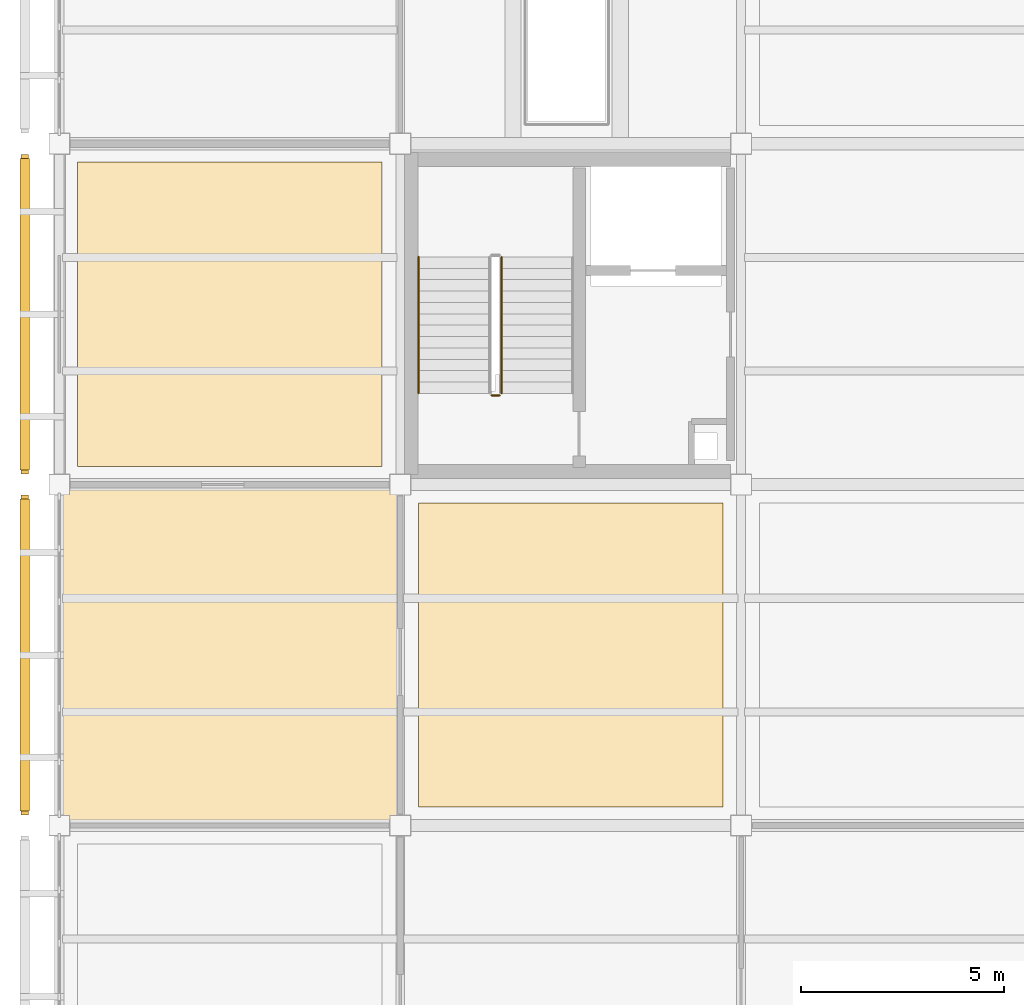
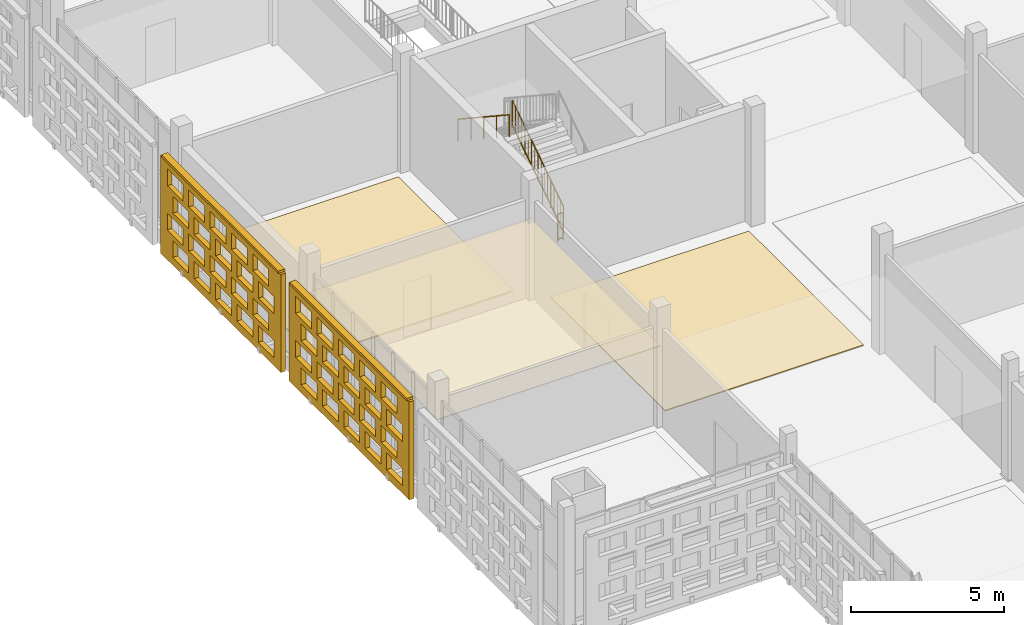
# One storey, part 144 of 203: 5 coverings, 3 railings, 2 shading devices, 40 openings.
"""IFC4 building model written with IfcOpenShell, lengths in metres."""

import ifcopenshell
import ifcopenshell.guid

model = None  # the IFC model being written
_history = None  # IfcOwnerHistory: only IFC2X3 demands one
_inside = {}  # id of a spatial element -> (the spatial element, [elements in it])
_under = {}  # id of a project, library or spatial element -> (it, [spatial elements below it])
_declared = {}  # id of a project -> (the project, [libraries it declares])
_typed = {}  # id of a type object -> (the type object, [elements of that type])
_made_of = {}  # id of a material, layer set ... -> (it, [elements and type objects made of it])


def new_model(schema):
    """Start an empty IFC model of exactly this schema.

    Asked for "IFC4X3", IfcOpenShell would pick the latest addendum, in which some entities
    have other attributes; the version numbers below select the first issue.
    IFC2X3 requires an IfcOwnerHistory on every rooted entity: one is made here for all.
    """
    global model, _history
    if schema == "IFC4X3":
        model = ifcopenshell.file(schema_version=(4, 3, 0, 0))
    else:
        model = ifcopenshell.file(schema=schema)
    _inside.clear()
    _under.clear()
    _declared.clear()
    _typed.clear()
    _made_of.clear()
    _history = None
    if model.schema == "IFC2X3":
        org = make("IfcOrganization", Name="unknown")
        user = make(
            "IfcPersonAndOrganization",
            ThePerson=make("IfcPerson", FamilyName="unknown"),
            TheOrganization=org,
        )
        app = make(
            "IfcApplication",
            ApplicationDeveloper=org,
            Version="unknown",
            ApplicationFullName="unknown",
            ApplicationIdentifier="unknown",
        )
        _history = make(
            "IfcOwnerHistory",
            OwningUser=user,
            OwningApplication=app,
            ChangeAction="ADDED",
            CreationDate=0,
        )
    return model


def make(cls, **values):
    """One entity of the class cls with the attributes given. An attribute that is None is left unset."""
    return model.create_entity(
        cls, **{name: value for name, value in values.items() if value is not None}
    )


def rooted(cls, **values):
    """An entity with a GlobalId (a new one), such as an element, a storey or a relation."""
    return make(cls, GlobalId=ifcopenshell.guid.new(), OwnerHistory=_history, **values)


def si_unit(unit_type, name, prefix=None):
    """IfcSIUnit, for example si_unit("LENGTHUNIT", "METRE", prefix="MILLI")."""
    return make("IfcSIUnit", UnitType=unit_type, Prefix=prefix, Name=name)


def assignment(units):
    """IfcUnitAssignment: the units of a project."""
    return None if units is None else make("IfcUnitAssignment", Units=units)


def point(xyz):
    """IfcCartesianPoint."""
    return None if xyz is None else make("IfcCartesianPoint", Coordinates=xyz)


def direction(xyz):
    """IfcDirection."""
    return None if xyz is None else make("IfcDirection", DirectionRatios=xyz)


def frame(location, z_axis=None, x_axis=None):
    """IfcAxis2Placement3D, a coordinate frame: its origin and axes. An axis left out is left unset."""
    return make(
        "IfcAxis2Placement3D",
        Location=point(location),
        Axis=direction(z_axis),
        RefDirection=direction(x_axis),
    )


def frame_2d(location, x_axis=None):
    """IfcAxis2Placement2D, a coordinate frame in the plane: its origin and x axis."""
    return make(
        "IfcAxis2Placement2D", Location=point(location), RefDirection=direction(x_axis)
    )


def origin():
    """The frame at (0, 0, 0) with its axes left unset."""
    return frame((0.0, 0.0, 0.0))


def origin_2d():
    """The frame at (0, 0) in the plane with its x axis left unset."""
    return frame_2d((0.0, 0.0))


def place(relative_to, where):
    """IfcLocalPlacement: puts the frame where relative to a parent placement (None: the world)."""
    return make(
        "IfcLocalPlacement", PlacementRelTo=relative_to, RelativePlacement=where
    )


def context(
    kind, dimensions, precision=None, world=None, true_north=None, identifier=None
):
    """IfcGeometricRepresentationContext, for example the 3D "Model" context."""
    return make(
        "IfcGeometricRepresentationContext",
        ContextIdentifier=identifier,
        ContextType=kind,
        CoordinateSpaceDimension=dimensions,
        Precision=precision,
        WorldCoordinateSystem=world,
        TrueNorth=true_north,
    )


def subcontext(parent, identifier, kind, view, scale=None):
    """IfcGeometricRepresentationSubContext, for example "Body" below "Model"."""
    return make(
        "IfcGeometricRepresentationSubContext",
        ContextIdentifier=identifier,
        ContextType=kind,
        ParentContext=parent,
        TargetScale=scale,
        TargetView=view,
    )


def project(units=None, contexts=None):
    """IfcProject with its units and contexts."""
    return rooted(
        "IfcProject",
        Name="project",
        RepresentationContexts=contexts,
        UnitsInContext=assignment(units),
    )


def spatial(cls, under=None, at=None, **own):
    """A site, building, storey or space (cls), placed at a placement, below another one or the project."""
    s = rooted(cls, ObjectPlacement=at, **own)
    if under is not None:
        _under.setdefault(under.id(), (under, []))[1].append(s)
    return s


def profile(cls, at=None, kind="AREA", **sizes):
    """A parametric profile (cls). Its sizes go by their IFC names, for example OverallWidth=200.0."""
    return make(cls, ProfileType=kind, Position=at, **sizes)


def rectangle(**sizes):
    """IfcRectangleProfileDef."""
    return profile("IfcRectangleProfileDef", **sizes)


def circle(**sizes):
    """IfcCircleProfileDef."""
    return profile("IfcCircleProfileDef", **sizes)


def extrude(swept, where, along, depth):
    """IfcExtrudedAreaSolid: the profile swept, set in the frame where, extruded along a direction by depth."""
    return make(
        "IfcExtrudedAreaSolid",
        SweptArea=swept,
        Position=where,
        ExtrudedDirection=direction(along),
        Depth=depth,
    )


def shape(context_of_items, identifier, shape_type, items):
    """IfcShapeRepresentation: the items that make up one representation, for example the "Body"."""
    return make(
        "IfcShapeRepresentation",
        ContextOfItems=context_of_items,
        RepresentationIdentifier=identifier,
        RepresentationType=shape_type,
        Items=items,
    )


def material(Name=None, Category=None):
    """IfcMaterial."""
    return make("IfcMaterial", Name=Name, Category=Category)


def layer(
    of_material, thickness, ventilated=None, Name=None, Category=None, Priority=None
):
    """IfcMaterialLayer: one layer of a wall or slab, of a material (None: an air gap)."""
    return make(
        "IfcMaterialLayer",
        Material=of_material,
        LayerThickness=thickness,
        IsVentilated=ventilated,
        Name=Name,
        Category=Category,
        Priority=Priority,
    )


def layer_set(layers, Name=None):
    """IfcMaterialLayerSet."""
    return make("IfcMaterialLayerSet", MaterialLayers=layers, LayerSetName=Name)


def made_of(thing, what):
    """Note that an element or type object is made of a material, layer set ...; save() writes the relation."""
    if what is not None:
        _made_of.setdefault(what.id(), (what, []))[1].append(thing)
    return thing


def type_object(cls, material=None, **own):
    """A type object (cls), such as IfcWallType, which elements share."""
    return made_of(rooted(cls, **own), material)


def element(
    cls,
    number,
    at=None,
    inside=None,
    cuts=None,
    type_object=None,
    material=None,
    context=None,
    identifier="Body",
    shape_type=None,
    held_by="IfcProductDefinitionShape",
    body=None,
    shapes=None,
    **own,
):
    """One element of the class cls, such as IfcWall. Its Tag is "e" and its number.

    at: its placement. inside: the storey or other place that contains it. cuts: it is an
    opening in that element (IfcRelVoidsElement). A single representation is given by context,
    identifier, shape_type and body (its items); several are given by shapes. held_by: the class
    of the entity that holds the representations. save() writes the other relations.
    """
    e = rooted(cls, Tag="e%d" % number, ObjectPlacement=at, **own)
    if body is not None:
        shapes = [shape(context, identifier, shape_type, body)]
    if shapes is not None:
        e.Representation = make(held_by, Representations=shapes)
    if inside is not None:
        _inside.setdefault(inside.id(), (inside, []))[1].append(e)
    if cuts is not None:
        rooted(
            "IfcRelVoidsElement", RelatingBuildingElement=cuts, RelatedOpeningElement=e
        )
    if type_object is not None:
        _typed.setdefault(type_object.id(), (type_object, []))[1].append(e)
    return made_of(e, material)


def aggregate(whole, parts):
    """IfcRelAggregates: a whole, such as a stair, and the parts it consists of."""
    return rooted("IfcRelAggregates", RelatingObject=whole, RelatedObjects=parts)


def save(model, path):
    """Write the relations noted so far, then the file.

    IfcRelAggregates (storeys below a building ...), IfcRelContainedInSpatialStructure (elements
    in a storey), IfcRelDefinesByType, IfcRelAssociatesMaterial and IfcRelDeclares: one each for
    every whole, place, type object, material and project.
    """
    for whole, parts in _under.values():
        aggregate(whole, parts)
    for where, things in _inside.values():
        rooted(
            "IfcRelContainedInSpatialStructure",
            RelatedElements=things,
            RelatingStructure=where,
        )
    for kind, things in _typed.values():
        rooted("IfcRelDefinesByType", RelatedObjects=things, RelatingType=kind)
    for what, things in _made_of.values():
        rooted("IfcRelAssociatesMaterial", RelatedObjects=things, RelatingMaterial=what)
    for by, libraries in _declared.values():
        rooted("IfcRelDeclares", RelatingContext=by, RelatedDefinitions=libraries)
    model.write(path)


model = new_model("IFC4")

# Units and contexts
model_context = context("Model", 3, precision=1e-05, world=origin(), true_north=direction((0.0, 1.0)))
body_context = subcontext(model_context, "Body", "Model", "MODEL_VIEW")
ifc_project = project(units=[si_unit("LENGTHUNIT", "METRE"), si_unit("AREAUNIT", "SQUARE_METRE"), si_unit("VOLUMEUNIT", "CUBIC_METRE"), si_unit("PLANEANGLEUNIT", "RADIAN"), si_unit("MASSUNIT", "GRAM", prefix="KILO")], contexts=[model_context])

# Site, building, storey
site_placement = place(None, origin())
site = spatial("IfcSite", under=ifc_project, at=site_placement, CompositionType="ELEMENT")
building_placement = place(site_placement, origin())
building = spatial("IfcBuilding", under=site, at=building_placement, Name="Varnapada Polytechnic", CompositionType="ELEMENT")
storey_placement = place(building_placement, frame((0.0, 0.0, 4.800048828125)))
storey = spatial("IfcBuildingStorey", under=building, at=storey_placement, Name="L01", CompositionType="ELEMENT", Elevation=4.800048828125)

# Coverings
ifc_material_1 = material(Name="End-Grain Timber Studio Block Flooring", Category="wood")
ifc_layer_1 = layer(ifc_material_1, 0.054931640625)
ifc_layer_set_1 = layer_set([ifc_layer_1], Name="End-Grain Timber Studio Block Flooring")
covering_type_1 = type_object("IfcCoveringType", Name="Floor Finish FLR-04", PredefinedType="FLOORING", material=ifc_layer_set_1)
covering_1_placement = place(storey_placement, frame((4.199951171875, 63.0, 0.0), z_axis=(0.0, 0.0, 1.0), x_axis=(1.0, 0.0, 0.0)))
element("IfcCovering", 1, at=covering_1_placement, inside=storey, type_object=covering_type_1, Name="L01 floor finish panel (1,8)", PredefinedType="FLOORING", context=body_context, shape_type="SweptSolid", body=[
    extrude(rectangle(XDim=7.5, YDim=7.5, at=origin_2d()), origin(), (0.0, 0.0, 1.0), 0.054931640625),
])
ifc_material_2 = material(Name="Acoustic Rubber Seminar Flooring")
ifc_layer_2 = layer(ifc_material_2, 0.0400390625)
ifc_layer_set_2 = layer_set([ifc_layer_2], Name="Acoustic Rubber Seminar Flooring")
covering_type_2 = type_object("IfcCoveringType", Name="Floor Finish FLR-06", PredefinedType="FLOORING", material=ifc_layer_set_2)
covering_2_placement = place(storey_placement, frame((12.60009765625, 54.60009765625, 0.0), z_axis=(0.0, 0.0, 1.0), x_axis=(1.0, 0.0, 0.0)))
element("IfcCovering", 2, at=covering_2_placement, inside=storey, type_object=covering_type_2, Name="L01 floor finish panel (2,7)", PredefinedType="FLOORING", context=body_context, shape_type="SweptSolid", body=[
    extrude(rectangle(XDim=7.5, YDim=7.5, at=origin_2d()), origin(), (0.0, 0.0, 1.0), 0.0400390625),
])

# Railings
ifc_material_3 = material(Name="Brushed Stainless Steel 316", Category="steel")
railing_type_1 = type_object("IfcRailingType", Name="Stair Wall Handrail SHR-01", PredefinedType="HANDRAIL", material=ifc_material_3)
railing_1_placement = place(storey_placement, frame((8.85009765625, 64.409912109375, 2.58447265625)))
element("IfcRailing", 3, at=railing_1_placement, inside=storey, type_object=railing_type_1, Name="L01 ST-2 stair handrail 2", PredefinedType="HANDRAIL", context=body_context, shape_type="SweptSolid", body=[
    extrude(circle(Radius=0.02392578125, at=origin_2d()), frame((0.0, 0.0, 0.8759765625), z_axis=(0.0, -0.83483021737, 0.550507500554), x_axis=(1.0, 0.0, 0.0)), (0.0, 0.0, 1.0), 4.024658203125),
    extrude(circle(Radius=0.02099609375, at=origin_2d()), origin(), (0.0, 0.0, 1.0), 0.851806640625),
    extrude(circle(Radius=0.02099609375, at=origin_2d()), frame((0.0, -0.83984375, 0.553955078125)), (0.0, 0.0, 1.0), 0.851806640625),
    extrude(circle(Radius=0.02099609375, at=origin_2d()), frame((0.0, -1.679931640625, 1.10791015625)), (0.0, 0.0, 1.0), 0.851806640625),
    extrude(circle(Radius=0.02099609375, at=origin_2d()), frame((0.0, -2.52001953125, 1.66162109375)), (0.0, 0.0, 1.0), 0.851806640625),
    extrude(circle(Radius=0.02099609375, at=origin_2d()), frame((0.0, -3.35986328125, 2.215576171875)), (0.0, 0.0, 1.0), 0.851806640625),
])
railing_type_2 = type_object("IfcRailingType", Name="Stair Well Guard Rail SGR-01", PredefinedType="BALUSTRADE", material=ifc_material_3)
railing_2_placement = place(storey_placement, frame((10.89990234375, 61.050048828125, 0.1845703125)))
element("IfcRailing", 4, at=railing_2_placement, inside=storey, type_object=railing_type_2, Name="L01 ST-2 stair guard 1", PredefinedType="BALUSTRADE", context=body_context, shape_type="SweptSolid", body=[
    extrude(circle(Radius=0.02392578125, at=origin_2d()), frame((0.0, 0.0, 1.09619140625), z_axis=(0.0, 0.834858096282, 0.550465220583), x_axis=(-1.0, 0.0, 0.0)), (0.0, 0.0, 1.0), 4.0244140625),
    extrude(circle(Radius=0.02392578125, at=origin_2d()), frame((0.0, 0.0, 0.10009765625), z_axis=(0.0, 0.834858096282, 0.550465220583), x_axis=(-1.0, 0.0, 0.0)), (0.0, 0.0, 1.0), 4.0244140625),
    extrude(circle(Radius=0.02099609375, at=origin_2d()), origin(), (0.0, 0.0, 1.0), 1.072021484375),
    extrude(circle(Radius=0.02099609375, at=origin_2d()), frame((0.0, 0.83984375, 0.5537109375)), (0.0, 0.0, 1.0), 1.072021484375),
    extrude(circle(Radius=0.02099609375, at=origin_2d()), frame((0.0, 1.679931640625, 1.107666015625)), (0.0, 0.0, 1.0), 1.072021484375),
    extrude(circle(Radius=0.02099609375, at=origin_2d()), frame((0.0, 2.52001953125, 1.66162109375)), (0.0, 0.0, 1.0), 1.072021484375),
    extrude(circle(Radius=0.02099609375, at=origin_2d()), frame((0.0, 3.35986328125, 2.21533203125)), (0.0, 0.0, 1.0), 1.072021484375),
    extrude(circle(Radius=0.010009765625, at=origin_2d()), frame((0.0, 0.2099609375, 0.238525390625)), (0.0, 0.0, 1.0), 0.971923828125),
    extrude(circle(Radius=0.010009765625, at=origin_2d()), frame((0.0, 0.419921875, 0.376953125)), (0.0, 0.0, 1.0), 0.971923828125),
    extrude(circle(Radius=0.010009765625, at=origin_2d()), frame((0.0, 0.6298828125, 0.515380859375)), (0.0, 0.0, 1.0), 0.971923828125),
    extrude(circle(Radius=0.010009765625, at=origin_2d()), frame((0.0, 0.83984375, 0.65380859375)), (0.0, 0.0, 1.0), 0.971923828125),
    extrude(circle(Radius=0.010009765625, at=origin_2d()), frame((0.0, 1.050048828125, 0.79248046875)), (0.0, 0.0, 1.0), 0.971923828125),
    extrude(circle(Radius=0.010009765625, at=origin_2d()), frame((0.0, 1.260009765625, 0.930908203125)), (0.0, 0.0, 1.0), 0.971923828125),
    extrude(circle(Radius=0.010009765625, at=origin_2d()), frame((0.0, 1.469970703125, 1.0693359375)), (0.0, 0.0, 1.0), 0.971923828125),
    extrude(circle(Radius=0.010009765625, at=origin_2d()), frame((0.0, 1.679931640625, 1.207763671875)), (0.0, 0.0, 1.0), 0.971923828125),
    extrude(circle(Radius=0.010009765625, at=origin_2d()), frame((0.0, 1.889892578125, 1.34619140625)), (0.0, 0.0, 1.0), 0.971923828125),
    extrude(circle(Radius=0.010009765625, at=origin_2d()), frame((0.0, 2.099853515625, 1.484619140625)), (0.0, 0.0, 1.0), 0.971923828125),
    extrude(circle(Radius=0.010009765625, at=origin_2d()), frame((0.0, 2.309814453125, 1.623046875)), (0.0, 0.0, 1.0), 0.971923828125),
    extrude(circle(Radius=0.010009765625, at=origin_2d()), frame((0.0, 2.52001953125, 1.76171875)), (0.0, 0.0, 1.0), 0.971923828125),
    extrude(circle(Radius=0.010009765625, at=origin_2d()), frame((0.0, 2.72998046875, 1.900146484375)), (0.0, 0.0, 1.0), 0.971923828125),
    extrude(circle(Radius=0.010009765625, at=origin_2d()), frame((0.0, 2.93994140625, 2.03857421875)), (0.0, 0.0, 1.0), 0.971923828125),
    extrude(circle(Radius=0.010009765625, at=origin_2d()), frame((0.0, 3.14990234375, 2.177001953125)), (0.0, 0.0, 1.0), 0.971923828125),
])
railing_3_placement = place(storey_placement, frame((10.85009765625, 61.0, 0.0)))
element("IfcRailing", 5, at=railing_3_placement, inside=storey, type_object=railing_type_2, Name="L01 ST-2 stair guard 4", PredefinedType="BALUSTRADE", context=body_context, shape_type="SweptSolid", body=[
    extrude(circle(Radius=0.02392578125, at=origin_2d()), frame((0.0, 0.0, 1.09619140625), z_axis=(-1.0, 0.0, 0.0), x_axis=(0.0, -1.0, 0.0)), (0.0, 0.0, 1.0), 0.2001953125),
    extrude(circle(Radius=0.02392578125, at=origin_2d()), frame((0.0, 0.0, 0.10009765625), z_axis=(-1.0, 0.0, 0.0), x_axis=(0.0, -1.0, 0.0)), (0.0, 0.0, 1.0), 0.2001953125),
    extrude(circle(Radius=0.02099609375, at=origin_2d()), origin(), (0.0, 0.0, 1.0), 1.072021484375),
    extrude(circle(Radius=0.02099609375, at=origin_2d()), frame((-0.2001953125, 0.0, 0.0)), (0.0, 0.0, 1.0), 1.072021484375),
])

# Covering
ifc_material_4 = material(Name="Moisture-Resistant Aluminum Baffle Ceiling", Category="aluminium")
ifc_layer_3 = layer(ifc_material_4, 0.030029296875)
ifc_layer_set_3 = layer_set([ifc_layer_3], Name="Moisture-Resistant Aluminum Baffle Ceiling")
covering_type_3 = type_object("IfcCoveringType", Name="Suspended Ceiling CLG-03", PredefinedType="CEILING", material=ifc_layer_set_3)
covering_3_placement = place(storey_placement, frame((4.199951171875, 54.60009765625, 3.03515625), z_axis=(0.0, 0.0, 1.0), x_axis=(1.0, 0.0, 0.0)))
element("IfcCovering", 6, at=covering_3_placement, inside=storey, type_object=covering_type_3, Name="L01 suspended acoustic ceiling (1,7)", PredefinedType="CEILING", context=body_context, shape_type="SweptSolid", body=[
    extrude(rectangle(XDim=8.419921875, YDim=8.419921875, at=origin_2d()), origin(), (0.0, 0.0, 1.0), 0.030029296875),
])

# Covering, openings
ifc_material_5 = material(Name="Earth-toned architectural terracotta screen block", Category="masonry")
ifc_layer_4 = layer(ifc_material_5, 0.1201171875)
ifc_layer_set_4 = layer_set([ifc_layer_4], Name="Earth-toned architectural terracotta screen block")
covering_type_4 = type_object("IfcCoveringType", Name="Terracotta Screen Cladding CLD-01", PredefinedType="CLADDING", material=ifc_layer_set_4)
covering_4_placement = place(storey_placement, frame((-0.85009765625, 50.659912109375, 0.0), z_axis=(0.0, 0.0, 1.0), x_axis=(0.0, 1.0, 0.0)))
covering_4 = element("IfcCovering", 7, at=covering_4_placement, inside=storey, type_object=covering_type_4, Name="L01 perforated terracotta block screen (3)", PredefinedType="CLADDING", context=body_context, shape_type="SweptSolid", body=[
    extrude(rectangle(XDim=7.880126953125, YDim=0.179931640625, at=frame_2d((3.93994140625, 0.0))), origin(), (0.0, 0.0, 1.0), 3.919921875),
])
opening_1_placement = place(covering_4_placement, frame((0.43994140625, 0.0, 0.313720703125)))
element("IfcOpeningElement", 8, at=opening_1_placement, cuts=covering_4, Name="Screen perforation TBS-L01-002.1", PredefinedType="OPENING", context=body_context, shape_type="SweptSolid", body=[
    extrude(rectangle(XDim=1.0400390625, YDim=0.679931640625, at=frame_2d((0.52001953125, 0.33984375))), frame((0.0, 0.099853515625, 0.0), z_axis=(0.0, -1.0, 0.0), x_axis=(1.0, 0.0, 0.0)), (0.0, 0.0, 1.0), 0.199951171875),
])
opening_2_placement = place(covering_4_placement, frame((1.840087890625, 0.0, 0.313720703125)))
element("IfcOpeningElement", 9, at=opening_2_placement, cuts=covering_4, Name="Screen perforation TBS-L01-002.2", PredefinedType="OPENING", context=body_context, shape_type="SweptSolid", body=[
    extrude(rectangle(XDim=1.0400390625, YDim=0.679931640625, at=frame_2d((0.52001953125, 0.33984375))), frame((0.0, 0.099853515625, 0.0), z_axis=(0.0, -1.0, 0.0), x_axis=(1.0, 0.0, 0.0)), (0.0, 0.0, 1.0), 0.199951171875),
])
opening_3_placement = place(covering_4_placement, frame((3.239990234375, 0.0, 0.313720703125)))
element("IfcOpeningElement", 10, at=opening_3_placement, cuts=covering_4, Name="Screen perforation TBS-L01-002.3", PredefinedType="OPENING", context=body_context, shape_type="SweptSolid", body=[
    extrude(rectangle(XDim=1.0400390625, YDim=0.679931640625, at=frame_2d((0.52001953125, 0.33984375))), frame((0.0, 0.099853515625, 0.0), z_axis=(0.0, -1.0, 0.0), x_axis=(1.0, 0.0, 0.0)), (0.0, 0.0, 1.0), 0.199951171875),
])
opening_4_placement = place(covering_4_placement, frame((4.639892578125, 0.0, 0.313720703125)))
element("IfcOpeningElement", 11, at=opening_4_placement, cuts=covering_4, Name="Screen perforation TBS-L01-002.4", PredefinedType="OPENING", context=body_context, shape_type="SweptSolid", body=[
    extrude(rectangle(XDim=1.0400390625, YDim=0.679931640625, at=frame_2d((0.52001953125, 0.33984375))), frame((0.0, 0.099853515625, 0.0), z_axis=(0.0, -1.0, 0.0), x_axis=(1.0, 0.0, 0.0)), (0.0, 0.0, 1.0), 0.199951171875),
])
opening_5_placement = place(covering_4_placement, frame((6.0400390625, 0.0, 0.313720703125)))
element("IfcOpeningElement", 12, at=opening_5_placement, cuts=covering_4, Name="Screen perforation TBS-L01-002.5", PredefinedType="OPENING", context=body_context, shape_type="SweptSolid", body=[
    extrude(rectangle(XDim=1.0400390625, YDim=0.679931640625, at=frame_2d((0.52001953125, 0.33984375))), frame((0.0, 0.099853515625, 0.0), z_axis=(0.0, -1.0, 0.0), x_axis=(1.0, 0.0, 0.0)), (0.0, 0.0, 1.0), 0.199951171875),
])
opening_6_placement = place(covering_4_placement, frame((0.800048828125, 0.0, 1.195556640625)))
element("IfcOpeningElement", 13, at=opening_6_placement, cuts=covering_4, Name="Screen perforation TBS-L01-002.6", PredefinedType="OPENING", context=body_context, shape_type="SweptSolid", body=[
    extrude(rectangle(XDim=1.0400390625, YDim=0.679931640625, at=frame_2d((0.52001953125, 0.33984375))), frame((0.0, 0.099853515625, 0.0), z_axis=(0.0, -1.0, 0.0), x_axis=(1.0, 0.0, 0.0)), (0.0, 0.0, 1.0), 0.199951171875),
])
opening_7_placement = place(covering_4_placement, frame((2.199951171875, 0.0, 1.195556640625)))
element("IfcOpeningElement", 14, at=opening_7_placement, cuts=covering_4, Name="Screen perforation TBS-L01-002.7", PredefinedType="OPENING", context=body_context, shape_type="SweptSolid", body=[
    extrude(rectangle(XDim=1.0400390625, YDim=0.679931640625, at=frame_2d((0.52001953125, 0.33984375))), frame((0.0, 0.099853515625, 0.0), z_axis=(0.0, -1.0, 0.0), x_axis=(1.0, 0.0, 0.0)), (0.0, 0.0, 1.0), 0.199951171875),
])
opening_8_placement = place(covering_4_placement, frame((3.60009765625, 0.0, 1.195556640625)))
element("IfcOpeningElement", 15, at=opening_8_placement, cuts=covering_4, Name="Screen perforation TBS-L01-002.8", PredefinedType="OPENING", context=body_context, shape_type="SweptSolid", body=[
    extrude(rectangle(XDim=1.0400390625, YDim=0.679931640625, at=frame_2d((0.52001953125, 0.33984375))), frame((0.0, 0.099853515625, 0.0), z_axis=(0.0, -1.0, 0.0), x_axis=(1.0, 0.0, 0.0)), (0.0, 0.0, 1.0), 0.199951171875),
])
opening_9_placement = place(covering_4_placement, frame((5.0, 0.0, 1.195556640625)))
element("IfcOpeningElement", 16, at=opening_9_placement, cuts=covering_4, Name="Screen perforation TBS-L01-002.9", PredefinedType="OPENING", context=body_context, shape_type="SweptSolid", body=[
    extrude(rectangle(XDim=1.0400390625, YDim=0.679931640625, at=frame_2d((0.52001953125, 0.33984375))), frame((0.0, 0.099853515625, 0.0), z_axis=(0.0, -1.0, 0.0), x_axis=(1.0, 0.0, 0.0)), (0.0, 0.0, 1.0), 0.199951171875),
])
opening_10_placement = place(covering_4_placement, frame((6.39990234375, 0.0, 1.195556640625)))
element("IfcOpeningElement", 17, at=opening_10_placement, cuts=covering_4, Name="Screen perforation TBS-L01-002.10", PredefinedType="OPENING", context=body_context, shape_type="SweptSolid", body=[
    extrude(rectangle(XDim=1.0400390625, YDim=0.679931640625, at=frame_2d((0.52001953125, 0.33984375))), frame((0.0, 0.099853515625, 0.0), z_axis=(0.0, -1.0, 0.0), x_axis=(1.0, 0.0, 0.0)), (0.0, 0.0, 1.0), 0.199951171875),
])
opening_11_placement = place(covering_4_placement, frame((0.43994140625, 0.0, 2.07763671875)))
element("IfcOpeningElement", 18, at=opening_11_placement, cuts=covering_4, Name="Screen perforation TBS-L01-002.11", PredefinedType="OPENING", context=body_context, shape_type="SweptSolid", body=[
    extrude(rectangle(XDim=1.0400390625, YDim=0.679931640625, at=frame_2d((0.52001953125, 0.33984375))), frame((0.0, 0.099853515625, 0.0), z_axis=(0.0, -1.0, 0.0), x_axis=(1.0, 0.0, 0.0)), (0.0, 0.0, 1.0), 0.199951171875),
])
opening_12_placement = place(covering_4_placement, frame((1.840087890625, 0.0, 2.07763671875)))
element("IfcOpeningElement", 19, at=opening_12_placement, cuts=covering_4, Name="Screen perforation TBS-L01-002.12", PredefinedType="OPENING", context=body_context, shape_type="SweptSolid", body=[
    extrude(rectangle(XDim=1.0400390625, YDim=0.679931640625, at=frame_2d((0.52001953125, 0.33984375))), frame((0.0, 0.099853515625, 0.0), z_axis=(0.0, -1.0, 0.0), x_axis=(1.0, 0.0, 0.0)), (0.0, 0.0, 1.0), 0.199951171875),
])
opening_13_placement = place(covering_4_placement, frame((3.239990234375, 0.0, 2.07763671875)))
element("IfcOpeningElement", 20, at=opening_13_placement, cuts=covering_4, Name="Screen perforation TBS-L01-002.13", PredefinedType="OPENING", context=body_context, shape_type="SweptSolid", body=[
    extrude(rectangle(XDim=1.0400390625, YDim=0.679931640625, at=frame_2d((0.52001953125, 0.33984375))), frame((0.0, 0.099853515625, 0.0), z_axis=(0.0, -1.0, 0.0), x_axis=(1.0, 0.0, 0.0)), (0.0, 0.0, 1.0), 0.199951171875),
])
opening_14_placement = place(covering_4_placement, frame((4.639892578125, 0.0, 2.07763671875)))
element("IfcOpeningElement", 21, at=opening_14_placement, cuts=covering_4, Name="Screen perforation TBS-L01-002.14", PredefinedType="OPENING", context=body_context, shape_type="SweptSolid", body=[
    extrude(rectangle(XDim=1.0400390625, YDim=0.679931640625, at=frame_2d((0.52001953125, 0.33984375))), frame((0.0, 0.099853515625, 0.0), z_axis=(0.0, -1.0, 0.0), x_axis=(1.0, 0.0, 0.0)), (0.0, 0.0, 1.0), 0.199951171875),
])
opening_15_placement = place(covering_4_placement, frame((6.0400390625, 0.0, 2.07763671875)))
element("IfcOpeningElement", 22, at=opening_15_placement, cuts=covering_4, Name="Screen perforation TBS-L01-002.15", PredefinedType="OPENING", context=body_context, shape_type="SweptSolid", body=[
    extrude(rectangle(XDim=1.0400390625, YDim=0.679931640625, at=frame_2d((0.52001953125, 0.33984375))), frame((0.0, 0.099853515625, 0.0), z_axis=(0.0, -1.0, 0.0), x_axis=(1.0, 0.0, 0.0)), (0.0, 0.0, 1.0), 0.199951171875),
])
opening_16_placement = place(covering_4_placement, frame((0.800048828125, 0.0, 2.959716796875)))
element("IfcOpeningElement", 23, at=opening_16_placement, cuts=covering_4, Name="Screen perforation TBS-L01-002.16", PredefinedType="OPENING", context=body_context, shape_type="SweptSolid", body=[
    extrude(rectangle(XDim=1.0400390625, YDim=0.679931640625, at=frame_2d((0.52001953125, 0.33984375))), frame((0.0, 0.099853515625, 0.0), z_axis=(0.0, -1.0, 0.0), x_axis=(1.0, 0.0, 0.0)), (0.0, 0.0, 1.0), 0.199951171875),
])
opening_17_placement = place(covering_4_placement, frame((2.199951171875, 0.0, 2.959716796875)))
element("IfcOpeningElement", 24, at=opening_17_placement, cuts=covering_4, Name="Screen perforation TBS-L01-002.17", PredefinedType="OPENING", context=body_context, shape_type="SweptSolid", body=[
    extrude(rectangle(XDim=1.0400390625, YDim=0.679931640625, at=frame_2d((0.52001953125, 0.33984375))), frame((0.0, 0.099853515625, 0.0), z_axis=(0.0, -1.0, 0.0), x_axis=(1.0, 0.0, 0.0)), (0.0, 0.0, 1.0), 0.199951171875),
])
opening_18_placement = place(covering_4_placement, frame((3.60009765625, 0.0, 2.959716796875)))
element("IfcOpeningElement", 25, at=opening_18_placement, cuts=covering_4, Name="Screen perforation TBS-L01-002.18", PredefinedType="OPENING", context=body_context, shape_type="SweptSolid", body=[
    extrude(rectangle(XDim=1.0400390625, YDim=0.679931640625, at=frame_2d((0.52001953125, 0.33984375))), frame((0.0, 0.099853515625, 0.0), z_axis=(0.0, -1.0, 0.0), x_axis=(1.0, 0.0, 0.0)), (0.0, 0.0, 1.0), 0.199951171875),
])
opening_19_placement = place(covering_4_placement, frame((5.0, 0.0, 2.959716796875)))
element("IfcOpeningElement", 26, at=opening_19_placement, cuts=covering_4, Name="Screen perforation TBS-L01-002.19", PredefinedType="OPENING", context=body_context, shape_type="SweptSolid", body=[
    extrude(rectangle(XDim=1.0400390625, YDim=0.679931640625, at=frame_2d((0.52001953125, 0.33984375))), frame((0.0, 0.099853515625, 0.0), z_axis=(0.0, -1.0, 0.0), x_axis=(1.0, 0.0, 0.0)), (0.0, 0.0, 1.0), 0.199951171875),
])
opening_20_placement = place(covering_4_placement, frame((6.39990234375, 0.0, 2.959716796875)))
element("IfcOpeningElement", 27, at=opening_20_placement, cuts=covering_4, Name="Screen perforation TBS-L01-002.20", PredefinedType="OPENING", context=body_context, shape_type="SweptSolid", body=[
    extrude(rectangle(XDim=1.0400390625, YDim=0.679931640625, at=frame_2d((0.52001953125, 0.33984375))), frame((0.0, 0.099853515625, 0.0), z_axis=(0.0, -1.0, 0.0), x_axis=(1.0, 0.0, 0.0)), (0.0, 0.0, 1.0), 0.199951171875),
])

covering_5_placement = place(storey_placement, frame((-0.85009765625, 59.06005859375, 0.0), z_axis=(0.0, 0.0, 1.0), x_axis=(0.0, 1.0, 0.0)))
covering_5 = element("IfcCovering", 28, at=covering_5_placement, inside=storey, type_object=covering_type_4, Name="L01 perforated terracotta block screen (4)", PredefinedType="CLADDING", context=body_context, shape_type="SweptSolid", body=[
    extrude(rectangle(XDim=7.8798828125, YDim=0.179931640625, at=frame_2d((3.93994140625, 0.0))), origin(), (0.0, 0.0, 1.0), 3.919921875),
])
opening_21_placement = place(covering_5_placement, frame((0.43994140625, 0.0, 0.313720703125)))
element("IfcOpeningElement", 29, at=opening_21_placement, cuts=covering_5, Name="Screen perforation TBS-L01-003.1", PredefinedType="OPENING", context=body_context, shape_type="SweptSolid", body=[
    extrude(rectangle(XDim=1.0400390625, YDim=0.679931640625, at=frame_2d((0.52001953125, 0.33984375))), frame((0.0, 0.099853515625, 0.0), z_axis=(0.0, -1.0, 0.0), x_axis=(1.0, 0.0, 0.0)), (0.0, 0.0, 1.0), 0.199951171875),
])
opening_22_placement = place(covering_5_placement, frame((1.840087890625, 0.0, 0.313720703125)))
element("IfcOpeningElement", 30, at=opening_22_placement, cuts=covering_5, Name="Screen perforation TBS-L01-003.2", PredefinedType="OPENING", context=body_context, shape_type="SweptSolid", body=[
    extrude(rectangle(XDim=1.0400390625, YDim=0.679931640625, at=frame_2d((0.52001953125, 0.33984375))), frame((0.0, 0.099853515625, 0.0), z_axis=(0.0, -1.0, 0.0), x_axis=(1.0, 0.0, 0.0)), (0.0, 0.0, 1.0), 0.199951171875),
])
opening_23_placement = place(covering_5_placement, frame((3.239990234375, 0.0, 0.313720703125)))
element("IfcOpeningElement", 31, at=opening_23_placement, cuts=covering_5, Name="Screen perforation TBS-L01-003.3", PredefinedType="OPENING", context=body_context, shape_type="SweptSolid", body=[
    extrude(rectangle(XDim=1.0400390625, YDim=0.679931640625, at=frame_2d((0.52001953125, 0.33984375))), frame((0.0, 0.099853515625, 0.0), z_axis=(0.0, -1.0, 0.0), x_axis=(1.0, 0.0, 0.0)), (0.0, 0.0, 1.0), 0.199951171875),
])
opening_24_placement = place(covering_5_placement, frame((4.639892578125, 0.0, 0.313720703125)))
element("IfcOpeningElement", 32, at=opening_24_placement, cuts=covering_5, Name="Screen perforation TBS-L01-003.4", PredefinedType="OPENING", context=body_context, shape_type="SweptSolid", body=[
    extrude(rectangle(XDim=1.0400390625, YDim=0.679931640625, at=frame_2d((0.52001953125, 0.33984375))), frame((0.0, 0.099853515625, 0.0), z_axis=(0.0, -1.0, 0.0), x_axis=(1.0, 0.0, 0.0)), (0.0, 0.0, 1.0), 0.199951171875),
])
opening_25_placement = place(covering_5_placement, frame((6.0400390625, 0.0, 0.313720703125)))
element("IfcOpeningElement", 33, at=opening_25_placement, cuts=covering_5, Name="Screen perforation TBS-L01-003.5", PredefinedType="OPENING", context=body_context, shape_type="SweptSolid", body=[
    extrude(rectangle(XDim=1.0400390625, YDim=0.679931640625, at=frame_2d((0.52001953125, 0.33984375))), frame((0.0, 0.099853515625, 0.0), z_axis=(0.0, -1.0, 0.0), x_axis=(1.0, 0.0, 0.0)), (0.0, 0.0, 1.0), 0.199951171875),
])
opening_26_placement = place(covering_5_placement, frame((0.800048828125, 0.0, 1.195556640625)))
element("IfcOpeningElement", 34, at=opening_26_placement, cuts=covering_5, Name="Screen perforation TBS-L01-003.6", PredefinedType="OPENING", context=body_context, shape_type="SweptSolid", body=[
    extrude(rectangle(XDim=1.0400390625, YDim=0.679931640625, at=frame_2d((0.52001953125, 0.33984375))), frame((0.0, 0.099853515625, 0.0), z_axis=(0.0, -1.0, 0.0), x_axis=(1.0, 0.0, 0.0)), (0.0, 0.0, 1.0), 0.199951171875),
])
opening_27_placement = place(covering_5_placement, frame((2.199951171875, 0.0, 1.195556640625)))
element("IfcOpeningElement", 35, at=opening_27_placement, cuts=covering_5, Name="Screen perforation TBS-L01-003.7", PredefinedType="OPENING", context=body_context, shape_type="SweptSolid", body=[
    extrude(rectangle(XDim=1.0400390625, YDim=0.679931640625, at=frame_2d((0.52001953125, 0.33984375))), frame((0.0, 0.099853515625, 0.0), z_axis=(0.0, -1.0, 0.0), x_axis=(1.0, 0.0, 0.0)), (0.0, 0.0, 1.0), 0.199951171875),
])
opening_28_placement = place(covering_5_placement, frame((3.60009765625, 0.0, 1.195556640625)))
element("IfcOpeningElement", 36, at=opening_28_placement, cuts=covering_5, Name="Screen perforation TBS-L01-003.8", PredefinedType="OPENING", context=body_context, shape_type="SweptSolid", body=[
    extrude(rectangle(XDim=1.0400390625, YDim=0.679931640625, at=frame_2d((0.52001953125, 0.33984375))), frame((0.0, 0.099853515625, 0.0), z_axis=(0.0, -1.0, 0.0), x_axis=(1.0, 0.0, 0.0)), (0.0, 0.0, 1.0), 0.199951171875),
])
opening_29_placement = place(covering_5_placement, frame((5.0, 0.0, 1.195556640625)))
element("IfcOpeningElement", 37, at=opening_29_placement, cuts=covering_5, Name="Screen perforation TBS-L01-003.9", PredefinedType="OPENING", context=body_context, shape_type="SweptSolid", body=[
    extrude(rectangle(XDim=1.0400390625, YDim=0.679931640625, at=frame_2d((0.52001953125, 0.33984375))), frame((0.0, 0.099853515625, 0.0), z_axis=(0.0, -1.0, 0.0), x_axis=(1.0, 0.0, 0.0)), (0.0, 0.0, 1.0), 0.199951171875),
])
opening_30_placement = place(covering_5_placement, frame((6.39990234375, 0.0, 1.195556640625)))
element("IfcOpeningElement", 38, at=opening_30_placement, cuts=covering_5, Name="Screen perforation TBS-L01-003.10", PredefinedType="OPENING", context=body_context, shape_type="SweptSolid", body=[
    extrude(rectangle(XDim=1.0400390625, YDim=0.679931640625, at=frame_2d((0.52001953125, 0.33984375))), frame((0.0, 0.099853515625, 0.0), z_axis=(0.0, -1.0, 0.0), x_axis=(1.0, 0.0, 0.0)), (0.0, 0.0, 1.0), 0.199951171875),
])
opening_31_placement = place(covering_5_placement, frame((0.43994140625, 0.0, 2.07763671875)))
element("IfcOpeningElement", 39, at=opening_31_placement, cuts=covering_5, Name="Screen perforation TBS-L01-003.11", PredefinedType="OPENING", context=body_context, shape_type="SweptSolid", body=[
    extrude(rectangle(XDim=1.0400390625, YDim=0.679931640625, at=frame_2d((0.52001953125, 0.33984375))), frame((0.0, 0.099853515625, 0.0), z_axis=(0.0, -1.0, 0.0), x_axis=(1.0, 0.0, 0.0)), (0.0, 0.0, 1.0), 0.199951171875),
])
opening_32_placement = place(covering_5_placement, frame((1.840087890625, 0.0, 2.07763671875)))
element("IfcOpeningElement", 40, at=opening_32_placement, cuts=covering_5, Name="Screen perforation TBS-L01-003.12", PredefinedType="OPENING", context=body_context, shape_type="SweptSolid", body=[
    extrude(rectangle(XDim=1.0400390625, YDim=0.679931640625, at=frame_2d((0.52001953125, 0.33984375))), frame((0.0, 0.099853515625, 0.0), z_axis=(0.0, -1.0, 0.0), x_axis=(1.0, 0.0, 0.0)), (0.0, 0.0, 1.0), 0.199951171875),
])
opening_33_placement = place(covering_5_placement, frame((3.239990234375, 0.0, 2.07763671875)))
element("IfcOpeningElement", 41, at=opening_33_placement, cuts=covering_5, Name="Screen perforation TBS-L01-003.13", PredefinedType="OPENING", context=body_context, shape_type="SweptSolid", body=[
    extrude(rectangle(XDim=1.0400390625, YDim=0.679931640625, at=frame_2d((0.52001953125, 0.33984375))), frame((0.0, 0.099853515625, 0.0), z_axis=(0.0, -1.0, 0.0), x_axis=(1.0, 0.0, 0.0)), (0.0, 0.0, 1.0), 0.199951171875),
])
opening_34_placement = place(covering_5_placement, frame((4.639892578125, 0.0, 2.07763671875)))
element("IfcOpeningElement", 42, at=opening_34_placement, cuts=covering_5, Name="Screen perforation TBS-L01-003.14", PredefinedType="OPENING", context=body_context, shape_type="SweptSolid", body=[
    extrude(rectangle(XDim=1.0400390625, YDim=0.679931640625, at=frame_2d((0.52001953125, 0.33984375))), frame((0.0, 0.099853515625, 0.0), z_axis=(0.0, -1.0, 0.0), x_axis=(1.0, 0.0, 0.0)), (0.0, 0.0, 1.0), 0.199951171875),
])
opening_35_placement = place(covering_5_placement, frame((6.0400390625, 0.0, 2.07763671875)))
element("IfcOpeningElement", 43, at=opening_35_placement, cuts=covering_5, Name="Screen perforation TBS-L01-003.15", PredefinedType="OPENING", context=body_context, shape_type="SweptSolid", body=[
    extrude(rectangle(XDim=1.0400390625, YDim=0.679931640625, at=frame_2d((0.52001953125, 0.33984375))), frame((0.0, 0.099853515625, 0.0), z_axis=(0.0, -1.0, 0.0), x_axis=(1.0, 0.0, 0.0)), (0.0, 0.0, 1.0), 0.199951171875),
])
opening_36_placement = place(covering_5_placement, frame((0.800048828125, 0.0, 2.959716796875)))
element("IfcOpeningElement", 44, at=opening_36_placement, cuts=covering_5, Name="Screen perforation TBS-L01-003.16", PredefinedType="OPENING", context=body_context, shape_type="SweptSolid", body=[
    extrude(rectangle(XDim=1.0400390625, YDim=0.679931640625, at=frame_2d((0.52001953125, 0.33984375))), frame((0.0, 0.099853515625, 0.0), z_axis=(0.0, -1.0, 0.0), x_axis=(1.0, 0.0, 0.0)), (0.0, 0.0, 1.0), 0.199951171875),
])
opening_37_placement = place(covering_5_placement, frame((2.199951171875, 0.0, 2.959716796875)))
element("IfcOpeningElement", 45, at=opening_37_placement, cuts=covering_5, Name="Screen perforation TBS-L01-003.17", PredefinedType="OPENING", context=body_context, shape_type="SweptSolid", body=[
    extrude(rectangle(XDim=1.0400390625, YDim=0.679931640625, at=frame_2d((0.52001953125, 0.33984375))), frame((0.0, 0.099853515625, 0.0), z_axis=(0.0, -1.0, 0.0), x_axis=(1.0, 0.0, 0.0)), (0.0, 0.0, 1.0), 0.199951171875),
])
opening_38_placement = place(covering_5_placement, frame((3.60009765625, 0.0, 2.959716796875)))
element("IfcOpeningElement", 46, at=opening_38_placement, cuts=covering_5, Name="Screen perforation TBS-L01-003.18", PredefinedType="OPENING", context=body_context, shape_type="SweptSolid", body=[
    extrude(rectangle(XDim=1.0400390625, YDim=0.679931640625, at=frame_2d((0.52001953125, 0.33984375))), frame((0.0, 0.099853515625, 0.0), z_axis=(0.0, -1.0, 0.0), x_axis=(1.0, 0.0, 0.0)), (0.0, 0.0, 1.0), 0.199951171875),
])
opening_39_placement = place(covering_5_placement, frame((5.0, 0.0, 2.959716796875)))
element("IfcOpeningElement", 47, at=opening_39_placement, cuts=covering_5, Name="Screen perforation TBS-L01-003.19", PredefinedType="OPENING", context=body_context, shape_type="SweptSolid", body=[
    extrude(rectangle(XDim=1.0400390625, YDim=0.679931640625, at=frame_2d((0.52001953125, 0.33984375))), frame((0.0, 0.099853515625, 0.0), z_axis=(0.0, -1.0, 0.0), x_axis=(1.0, 0.0, 0.0)), (0.0, 0.0, 1.0), 0.199951171875),
])
opening_40_placement = place(covering_5_placement, frame((6.39990234375, 0.0, 2.959716796875)))
element("IfcOpeningElement", 48, at=opening_40_placement, cuts=covering_5, Name="Screen perforation TBS-L01-003.20", PredefinedType="OPENING", context=body_context, shape_type="SweptSolid", body=[
    extrude(rectangle(XDim=1.0400390625, YDim=0.679931640625, at=frame_2d((0.52001953125, 0.33984375))), frame((0.0, 0.099853515625, 0.0), z_axis=(0.0, -1.0, 0.0), x_axis=(1.0, 0.0, 0.0)), (0.0, 0.0, 1.0), 0.199951171875),
])

# Shading devices
ifc_layer_5 = layer(ifc_material_5, 0.179931640625)
ifc_layer_set_5 = layer_set([ifc_layer_5], Name="Earth-toned architectural terracotta screen block")
shading_device_type = type_object("IfcShadingDeviceType", Name="Terracotta Screen SCR-02", PredefinedType="USERDEFINED", material=ifc_layer_set_5)
for number, where, z_axis, x_axis, name in (
    (49, (-0.85009765625, 54.60009765625, 3.909912109375), (0.0, 0.0, 1.0), (0.0, 1.0, 0.0), "L01 perforated terracotta screen hood 86"),
    (50, (-0.85009765625, 63.0, 3.909912109375), (0.0, 0.0, 1.0), (0.0, 1.0, 0.0), "L01 perforated terracotta screen hood 87"),
):
    element("IfcShadingDevice", number, at=place(storey_placement, frame(where, z_axis=z_axis, x_axis=x_axis)), inside=storey, type_object=shading_device_type, Name=name, ObjectType="SCREEN", PredefinedType="USERDEFINED", context=body_context, shape_type="SweptSolid", body=[
        extrude(rectangle(XDim=7.679931640625, YDim=0.239990234375, at=origin_2d()), origin(), (0.0, 0.0, 1.0), 0.10009765625),
    ])

save(model, "model.ifc")
